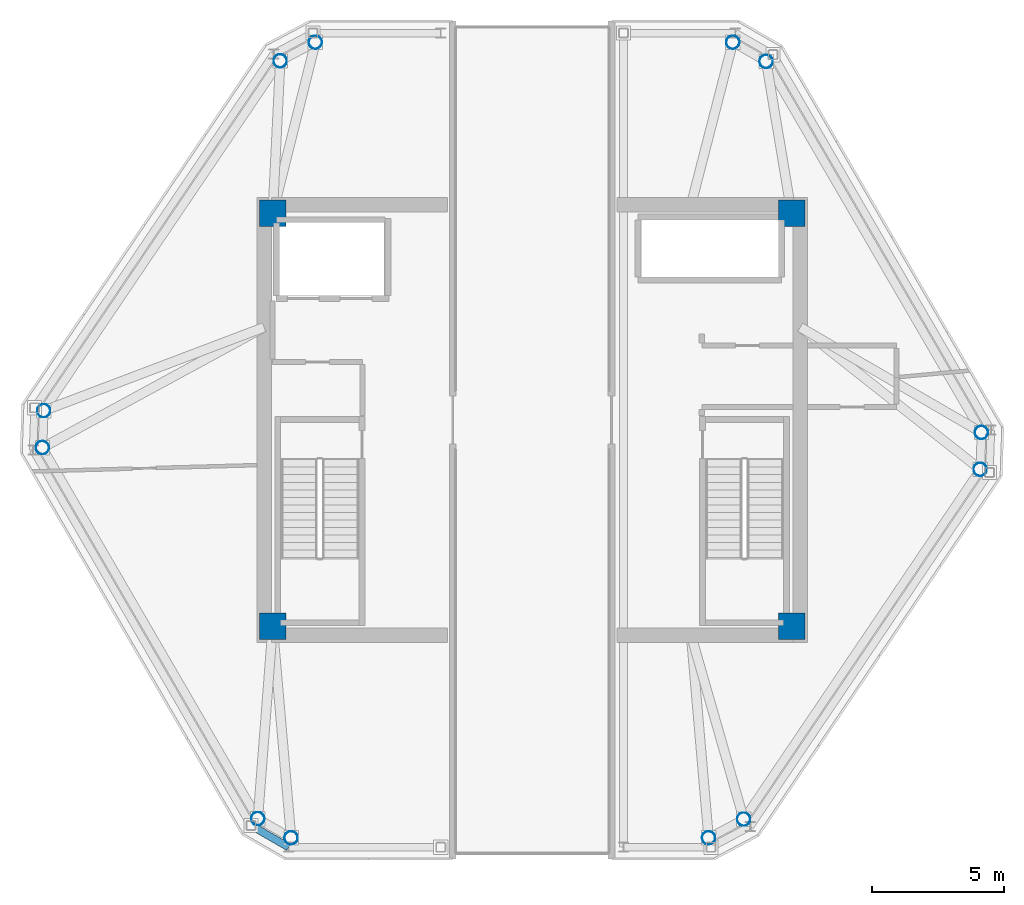
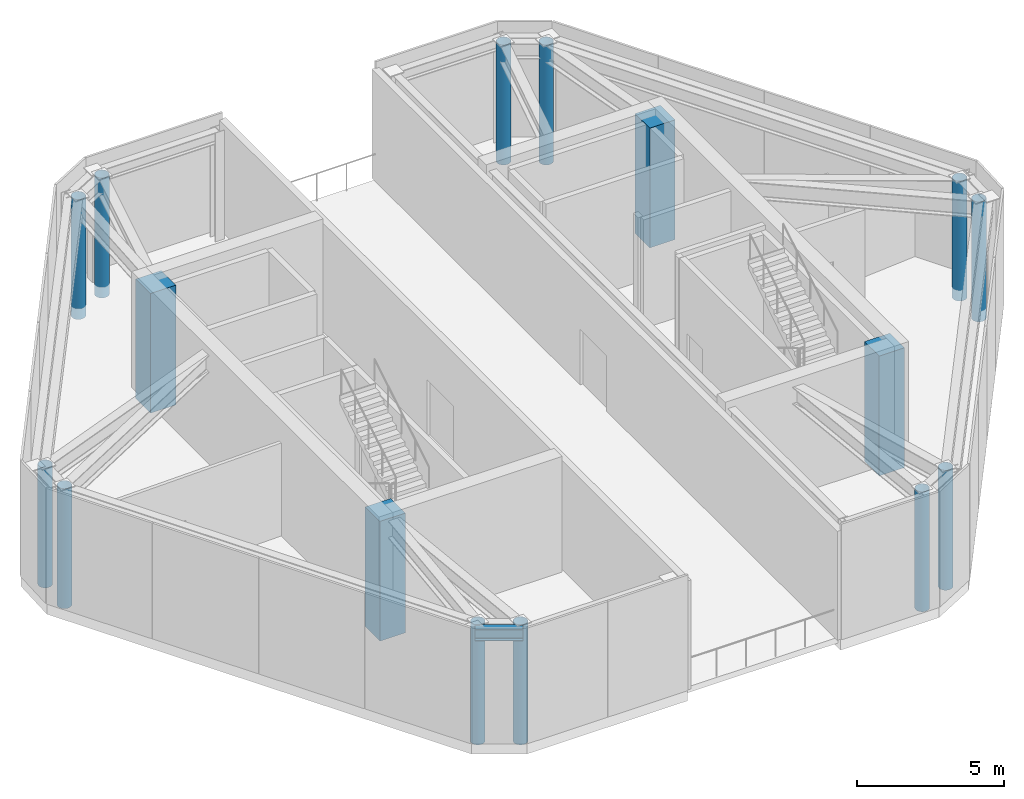
# One storey, part 1 of 8: 16 columns, 1 beam.
"""IFC4 building model written with IfcOpenShell, lengths in metres."""

from ifc_helpers import new_model, si_unit, direction, frame, origin, origin_2d, place, context, subcontext, project, spatial, rectangle, hollow_circle, i_section, extrude, source, transform, mapped, material, material_profile, profile_set, type_object, type_shapes, element, save


model = new_model("IFC4")

# Units and contexts
model_context = context("Model", 3, precision=1e-05, world=origin(), true_north=direction((0.0, 1.0)))
body_context = subcontext(model_context, "Body", "Model", "MODEL_VIEW")
ifc_project = project(units=[si_unit("LENGTHUNIT", "METRE"), si_unit("AREAUNIT", "SQUARE_METRE"), si_unit("VOLUMEUNIT", "CUBIC_METRE"), si_unit("PLANEANGLEUNIT", "RADIAN"), si_unit("MASSUNIT", "GRAM", prefix="KILO")], contexts=[model_context])

# Site, building, storey
site_placement = place(None, origin())
site = spatial("IfcSite", under=ifc_project, at=site_placement, CompositionType="ELEMENT")
building_placement = place(site_placement, origin())
building = spatial("IfcBuilding", under=site, at=building_placement, Name="Durnholm Broadcast Tower", CompositionType="ELEMENT")
storey_placement = place(building_placement, frame((0.0, 0.0, 272.5)))
storey = spatial("IfcBuildingStorey", under=building, at=storey_placement, Name="L76", CompositionType="ELEMENT", Elevation=272.5)

# Columns
ifc_material_1 = material(Name="Concrete C70/85", Category="concrete")
ifc_material_profile_1 = material_profile(ifc_material_1, rectangle(XDim=1.0, YDim=1.0, at=origin_2d()), Name="RC1000X1000")
ifc_profile_set_1 = profile_set([ifc_material_profile_1], Name="Concrete C70/85")
column_type_1 = type_object("IfcColumnType", Name="COL-CC-1000", PredefinedType="COLUMN", material=ifc_profile_set_1)
shared_shape_1 = source(origin(), body_context, "Body", "SweptSolid", [
    extrude(rectangle(XDim=1.0, YDim=1.0, at=origin_2d()), origin(), (0.0, 0.0, 1.0), 4.969970703125),
])
type_shapes(column_type_1, [shared_shape_1])
for number, where, z_axis, x_axis, name in (
    (1, (-9.800048828125, -7.800048828125, -0.449951171875), (0.0, 0.0, 1.0), (1.0, 0.0, 0.0), "L76 core corner column 1"),
    (2, (9.800048828125, -7.800048828125, -0.449951171875), (0.0, 0.0, 1.0), (1.0, 0.0, 0.0), "L76 core corner column 2"),
    (3, (9.800048828125, 7.800048828125, -0.449951171875), (0.0, 0.0, 1.0), (1.0, 0.0, 0.0), "L76 core corner column 3"),
    (4, (-9.800048828125, 7.800048828125, -0.449951171875), (0.0, 0.0, 1.0), (1.0, 0.0, 0.0), "L76 core corner column 4"),
):
    element("IfcColumn", number, at=place(storey_placement, frame(where, z_axis=z_axis, x_axis=x_axis)), inside=storey, type_object=column_type_1, Name=name, PredefinedType="COLUMN", context=body_context, shape_type="MappedRepresentation", body=[
        mapped(shared_shape_1, transform((0.0, 0.0, 0.0), x_axis=(1.0, 0.0, 0.0), y_axis=(0.0, 1.0, 0.0), z_axis=(0.0, 0.0, 1.0), scale=1.0)),
    ])
ifc_material_2 = material(Name="Steel ASTM A500 Grade C", Category="steel")
ifc_material_profile_2 = material_profile(ifc_material_2, hollow_circle(Radius=0.25390625, WallThickness=0.01171875, at=origin_2d()), Name="HSS20.000X0.500")
ifc_profile_set_2 = profile_set([ifc_material_profile_2], Name="Steel ASTM A500 Grade C")
column_type_2 = type_object("IfcColumnType", Name="STL-SC-CHS20", PredefinedType="COLUMN", material=ifc_profile_set_2)
shared_shape_2 = source(origin(), body_context, "Body", "SweptSolid", [
    extrude(hollow_circle(Radius=0.25390625, WallThickness=0.01171875, at=origin_2d()), origin(), (0.0, 0.0, 1.0), 4.969970703125),
])
type_shapes(column_type_2, [shared_shape_2])
for number, where, z_axis, x_axis, name in (
    (5, (-10.361328125, -15.061767578125, -0.449951171875), (0.0, 0.0, 1.0), (1.0, 0.0, 0.0), "L76 perimeter hexagonal tube column 01"),
    (6, (-18.494384765625, -1.0478515625, -0.449951171875), (0.0, 0.0, 1.0), (1.0, 0.0, 0.0), "L76 perimeter hexagonal tube column 02"),
    (7, (-18.4462890625, 0.345947265625, -0.449951171875), (0.0, 0.0, 1.0), (1.0, 0.0, 0.0), "L76 perimeter hexagonal tube column 03"),
    (8, (-9.514892578125, 13.557373046875, -0.449951171875), (0.0, 0.0, 1.0), (1.0, 0.0, 0.0), "L76 perimeter hexagonal tube column 04"),
    (9, (-8.187744140625, 14.261962890625, -0.449951171875), (0.0, 0.0, 1.0), (1.0, 0.0, 0.0), "L76 perimeter hexagonal tube column 05"),
    (10, (7.57958984375, 14.261962890625, -0.449951171875), (0.0, 0.0, 1.0), (1.0, 0.0, 0.0), "L76 perimeter hexagonal tube column 06"),
    (11, (8.83740234375, 13.53759765625, -0.449951171875), (0.0, 0.0, 1.0), (1.0, 0.0, 0.0), "L76 perimeter hexagonal tube column 07"),
    (12, (16.97021484375, -0.47607421875, -0.449951171875), (0.0, 0.0, 1.0), (1.0, 0.0, 0.0), "L76 perimeter hexagonal tube column 08"),
    (13, (16.92236328125, -1.869873046875, -0.449951171875), (0.0, 0.0, 1.0), (1.0, 0.0, 0.0), "L76 perimeter hexagonal tube column 09"),
    (14, (7.990966796875, -15.081298828125, -0.449951171875), (0.0, 0.0, 1.0), (1.0, 0.0, 0.0), "L76 perimeter hexagonal tube column 10"),
    (15, (6.663818359375, -15.785888671875, -0.449951171875), (0.0, 0.0, 1.0), (1.0, 0.0, 0.0), "L76 perimeter hexagonal tube column 11"),
    (16, (-9.103759765625, -15.785888671875, -0.449951171875), (0.0, 0.0, 1.0), (1.0, 0.0, 0.0), "L76 perimeter hexagonal tube column 12"),
):
    element("IfcColumn", number, at=place(storey_placement, frame(where, z_axis=z_axis, x_axis=x_axis)), inside=storey, type_object=column_type_2, Name=name, PredefinedType="COLUMN", context=body_context, shape_type="MappedRepresentation", body=[
        mapped(shared_shape_2, transform((0.0, 0.0, 0.0), x_axis=(1.0, 0.0, 0.0), y_axis=(0.0, 1.0, 0.0), z_axis=(0.0, 0.0, 1.0), scale=1.0)),
    ])

# Beam
ifc_material_3 = material(Name="Steel ASTM A992 Grade 50", Category="steel")
ifc_material_profile_3 = material_profile(ifc_material_3, i_section(OverallWidth=0.2861328125, OverallDepth=0.481689453125, WebThickness=0.0166015625, FlangeThickness=0.02685546875, FilletRadius=0.02294921875, at=origin_2d()), Name="W18X119")
ifc_profile_set_3 = profile_set([ifc_material_profile_3], Name="Steel ASTM A992 Grade 50")
beam_type = type_object("IfcBeamType", Name="STL-BM-W18X119", PredefinedType="BEAM", material=ifc_profile_set_3)
shared_shape_3 = source(origin(), body_context, "Body", "SweptSolid", [
    extrude(i_section(OverallWidth=0.2861328125, OverallDepth=0.481689453125, WebThickness=0.0166015625, FlangeThickness=0.02685546875, FilletRadius=0.02294921875, at=origin_2d()), origin(), (0.0, 0.0, 1.0), 1.638427734375),
])
type_shapes(beam_type, [shared_shape_3])
beam_placement = place(storey_placement, frame((-10.6171875, -15.318359375, 4.26416015625), z_axis=(0.866597073991, -0.499008528335, 0.0), x_axis=(0.499008528335, 0.866597073991, 0.0)))
element("IfcBeam", 17, at=beam_placement, inside=storey, type_object=beam_type, Name="L76 W split-crown frame ring beam 1", PredefinedType="SPANDREL", context=body_context, shape_type="MappedRepresentation", body=[
    mapped(shared_shape_3, transform((0.0, 0.0, 0.0), x_axis=(1.0, 0.0, 0.0), y_axis=(0.0, 1.0, 0.0), z_axis=(0.0, 0.0, 1.0), scale=1.0)),
])

save(model, "model.ifc")
